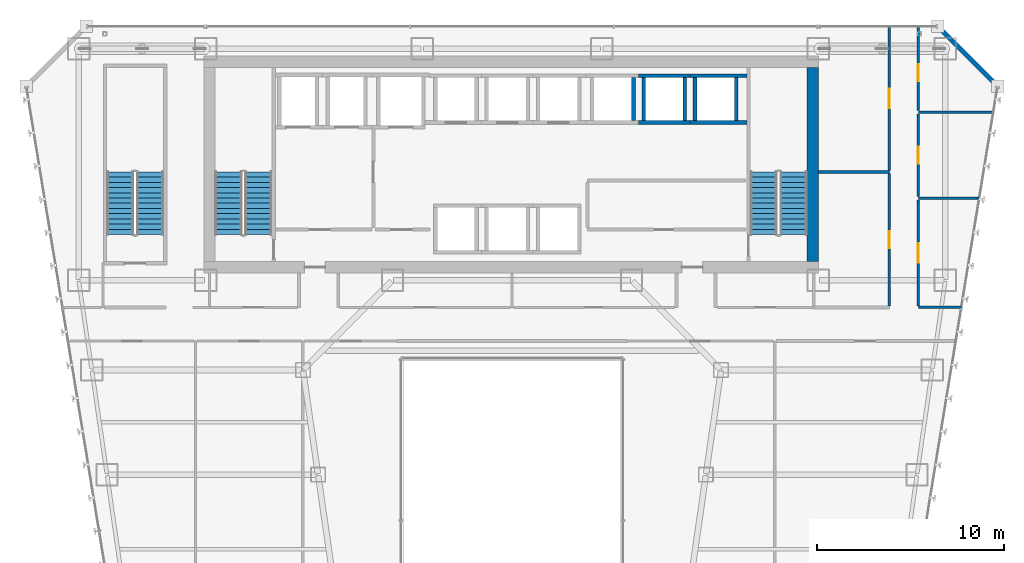
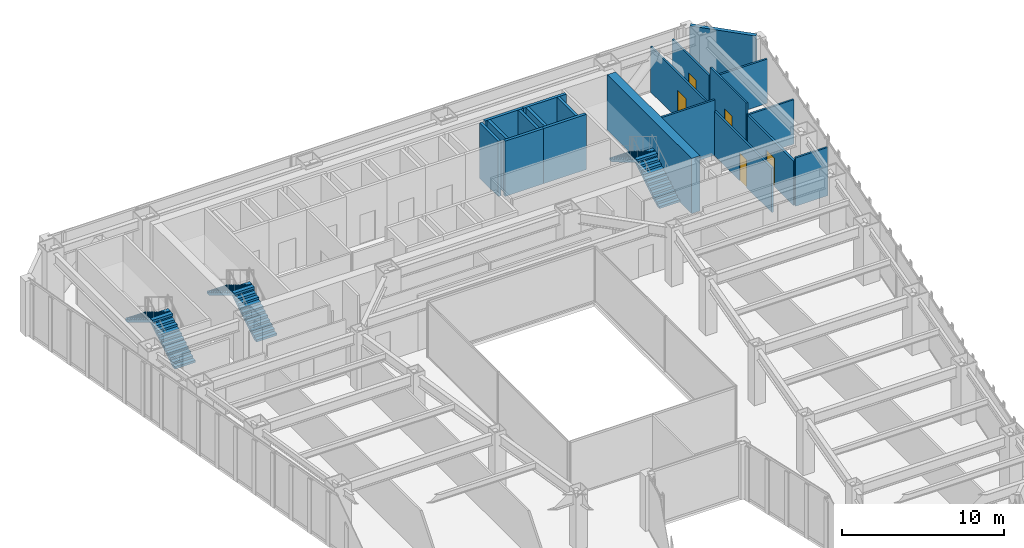
# One storey, part 38 of 47: 20 walls, 6 stair flights, 5 doors, 5 openings, 3 elements without a shape of their own.
"""IFC4 building model written with IfcOpenShell, lengths in metres."""

from ifc_helpers import new_model, si_unit, direction, frame, frame_2d, origin, place, context, subcontext, project, spatial, polyline, rectangle, outline, extrude, material, layer, layer_set, type_object, element, fill, aggregate, save


model = new_model("IFC4")

# Units and contexts
model_context = context("Model", 3, precision=1e-05, world=origin(), true_north=direction((0.0, 1.0)))
body_context = subcontext(model_context, "Body", "Model", "MODEL_VIEW")
ifc_project = project(units=[si_unit("LENGTHUNIT", "METRE"), si_unit("AREAUNIT", "SQUARE_METRE"), si_unit("VOLUMEUNIT", "CUBIC_METRE"), si_unit("PLANEANGLEUNIT", "RADIAN"), si_unit("MASSUNIT", "GRAM", prefix="KILO")], contexts=[model_context])

# Site, building, storey
site_placement = place(None, origin())
site = spatial("IfcSite", under=ifc_project, at=site_placement, CompositionType="ELEMENT")
building_placement = place(site_placement, origin())
building = spatial("IfcBuilding", under=site, at=building_placement, Name="Saevonmaru Cultural Tower", CompositionType="ELEMENT")
storey_placement = place(building_placement, frame((0.0, 0.0, 42.800048828125)))
storey = spatial("IfcBuildingStorey", under=building, at=storey_placement, Name="L08", CompositionType="ELEMENT", Elevation=42.800048828125)

# Walls
ifc_material_1 = material(Name="Concrete C60/75", Category="concrete")
ifc_layer_1 = layer(ifc_material_1, 0.60009765625, Name="Concrete C60/75")
ifc_layer_set_1 = layer_set([ifc_layer_1], Name="Concrete C60/75")
wall_type_1 = type_object("IfcWallType", Name="WL-CORE-600", PredefinedType="SHEAR", material=ifc_layer_set_1)
wall_1_placement = place(storey_placement, frame((46.10009765625, 43.39990234375, 0.0), z_axis=(0.0, 0.0, 1.0), x_axis=(0.0, 1.0, 0.0)))
element("IfcWall", 1, at=wall_1_placement, inside=storey, type_object=wall_type_1, Name="L08 Tower RC core shear wall E", PredefinedType="SHEAR", context=body_context, shape_type="SweptSolid", body=[
    extrude(rectangle(XDim=10.400146484375, YDim=0.60009765625, at=frame_2d((5.2001953125, 0.0))), origin(), (0.0, 0.0, 1.0), 4.14990234375),
])
ifc_material_2 = material(Name="Granite-Clad Precast Concrete C40/50", Category="masonry")
ifc_layer_2 = layer(ifc_material_2, 0.260009765625, Name="Granite-Clad Precast Concrete C40/50")
ifc_layer_set_2 = layer_set([ifc_layer_2], Name="Granite-Clad Precast Concrete C40/50")
wall_type_2 = type_object("IfcWallType", Name="WL-EXT-SPANDREL-260", PredefinedType="STANDARD", material=ifc_layer_set_2)
wall_2_placement = place(storey_placement, frame((55.886962890625, 52.9130859375, 0.0), z_axis=(0.0, 0.0, 1.0), x_axis=(-0.707106781187, 0.707106781187, 0.0)))
element("IfcWall", 2, at=wall_2_placement, inside=storey, type_object=wall_type_2, Name="L08 Chamfer Corner Spandrel Wall E9", PredefinedType="STANDARD", context=body_context, shape_type="SweptSolid", body=[
    extrude(rectangle(XDim=4.205810546875, YDim=0.260009765625, at=frame_2d((2.10302734375, 0.0))), origin(), (0.0, 0.0, 1.0), 4.14990234375),
])

# Wall, opening, door
ifc_material_3 = material(Name="Gypsum Fireboard Partition", Category="gypsum")
ifc_layer_3 = layer(ifc_material_3, 0.14990234375, Name="Gypsum Fireboard Partition")
ifc_layer_set_3 = layer_set([ifc_layer_3], Name="Gypsum Fireboard Partition")
wall_type_3 = type_object("IfcWallType", Name="WL-PART-FIRE-150", PredefinedType="PARTITIONING", material=ifc_layer_set_3)
wall_3_placement = place(storey_placement, frame((51.75, 41.03759765625, 0.0), z_axis=(0.0, 0.0, 1.0), x_axis=(0.0, 1.0, 0.0)))
wall_3 = element("IfcWall", 3, at=wall_3_placement, inside=storey, type_object=wall_type_3, Name="L08 Special Collections Gallery Corridor Wall", PredefinedType="PARTITIONING", context=body_context, shape_type="SweptSolid", body=[
    extrude(rectangle(XDim=5.6748046875, YDim=0.14990234375, at=frame_2d((2.83740234375, 0.0))), origin(), (0.0, 0.0, 1.0), 3.3349609375),
])
opening_1_placement = place(wall_3_placement, frame((2.31201171875, 0.0, 0.0)))
opening_1 = element("IfcOpeningElement", 4, at=opening_1_placement, cuts=wall_3, Name="Opening ID-1", PredefinedType="OPENING", context=body_context, shape_type="SweptSolid", body=[
    extrude(rectangle(XDim=1.050048828125, YDim=2.14990234375, at=frame_2d((0.52490234375, 1.074951171875))), frame((0.0, 0.0849609375, 0.0), z_axis=(0.0, -1.0, 0.0), x_axis=(1.0, 0.0, 0.0)), (0.0, 0.0, 1.0), 0.169921875),
])
ifc_material_4 = material(Name="Satin Bronze Anodised Aluminium", Category="aluminium")
door_type_1 = type_object("IfcDoorType", Name="DR-INT-1050", OperationType="SINGLE_SWING_LEFT", PredefinedType="DOOR", material=ifc_material_4)
door_1_placement = place(opening_1_placement, origin())
door_1 = element("IfcDoor", 5, at=door_1_placement, inside=storey, type_object=door_type_1, Name="L08 Special Collections Gallery Door", OperationType="SINGLE_SWING_RIGHT", OverallHeight=2.14990234375, OverallWidth=1.050048828125, PredefinedType="DOOR", context=body_context, shape_type="SweptSolid", body=[
    extrude(rectangle(XDim=1.050048828125, YDim=2.14990234375, at=frame_2d((0.52490234375, 1.074951171875))), frame((0.0, 0.02490234375, 0.0), z_axis=(0.0, -1.0, 0.0), x_axis=(1.0, 0.0, 0.0)), (0.0, 0.0, 1.0), 0.050048828125),
])
fill(opening_1, door_1)

ifc_layer_4 = layer(ifc_material_3, 0.1201171875, Name="Gypsum Fireboard Partition")
ifc_layer_set_4 = layer_set([ifc_layer_4], Name="Gypsum Fireboard Partition")
wall_type_4 = type_object("IfcWallType", Name="WL-PART-GYP-120", PredefinedType="PARTITIONING", material=ifc_layer_set_4)
wall_4_placement = place(storey_placement, frame((50.199951171875, 48.2900390625, 0.0), z_axis=(0.0, 0.0, 1.0), x_axis=(0.0, 1.0, 0.0)))
wall_4 = element("IfcWall", 6, at=wall_4_placement, inside=storey, type_object=wall_type_4, Name="L08 Rare Manuscript Reading Room Corridor Wall", PredefinedType="PARTITIONING", context=body_context, shape_type="SweptSolid", body=[
    extrude(rectangle(XDim=7.705078125, YDim=0.1201171875, at=frame_2d((3.8525390625, 0.0))), origin(), (0.0, 0.0, 1.0), 3.43505859375),
])
opening_2_placement = place(wall_4_placement, frame((3.326904296875, 0.0, 0.0)))
opening_2 = element("IfcOpeningElement", 7, at=opening_2_placement, cuts=wall_4, Name="Opening ID-1", PredefinedType="OPENING", context=body_context, shape_type="SweptSolid", body=[
    extrude(rectangle(XDim=1.050048828125, YDim=2.14990234375, at=frame_2d((0.52490234375, 1.074951171875))), frame((0.0, 0.070068359375, 0.0), z_axis=(0.0, -1.0, 0.0), x_axis=(1.0, 0.0, 0.0)), (0.0, 0.0, 1.0), 0.14013671875),
])
door_2_placement = place(opening_2_placement, origin())
door_2 = element("IfcDoor", 8, at=door_2_placement, inside=storey, type_object=door_type_1, Name="L08 Rare Manuscript Reading Room Door", OperationType="SINGLE_SWING_LEFT", OverallHeight=2.14990234375, OverallWidth=1.050048828125, PredefinedType="DOOR", context=body_context, shape_type="SweptSolid", body=[
    extrude(rectangle(XDim=1.050048828125, YDim=2.14990234375, at=frame_2d((0.52490234375, 1.074951171875))), frame((0.0, 0.02490234375, 0.0), z_axis=(0.0, -1.0, 0.0), x_axis=(1.0, 0.0, 0.0)), (0.0, 0.0, 1.0), 0.050048828125),
])
fill(opening_2, door_2)

wall_5_placement = place(storey_placement, frame((51.75, 46.887451171875, 0.0), z_axis=(0.0, 0.0, 1.0), x_axis=(0.0, 1.0, 0.0)))
wall_5 = element("IfcWall", 9, at=wall_5_placement, inside=storey, type_object=wall_type_4, Name="L08 Scholarly Colloquium Meeting Room Corridor Wall", PredefinedType="PARTITIONING", context=body_context, shape_type="SweptSolid", body=[
    extrude(rectangle(XDim=4.425048828125, YDim=0.1201171875, at=frame_2d((2.21240234375, 0.0))), origin(), (0.0, 0.0, 1.0), 4.14990234375),
])
opening_3_placement = place(wall_5_placement, frame((1.761962890625, 0.0, 0.0)))
opening_3 = element("IfcOpeningElement", 10, at=opening_3_placement, cuts=wall_5, Name="Opening ID-2", PredefinedType="OPENING", context=body_context, shape_type="SweptSolid", body=[
    extrude(rectangle(XDim=0.89990234375, YDim=2.10009765625, at=frame_2d((0.449951171875, 1.050048828125))), frame((0.0, 0.070068359375, 0.0), z_axis=(0.0, -1.0, 0.0), x_axis=(1.0, 0.0, 0.0)), (0.0, 0.0, 1.0), 0.14013671875),
])
ifc_material_5 = material(Name="Acoustic Stained Oak Timber", Category="wood")
door_type_2 = type_object("IfcDoorType", Name="DR-INT-900", OperationType="SINGLE_SWING_RIGHT", PredefinedType="DOOR", material=ifc_material_5)
door_3_placement = place(opening_3_placement, origin())
door_3 = element("IfcDoor", 11, at=door_3_placement, inside=storey, type_object=door_type_2, Name="L08 Scholarly Colloquium Meeting Room Door", OperationType="SINGLE_SWING_LEFT", OverallHeight=2.10009765625, OverallWidth=0.89990234375, PredefinedType="DOOR", context=body_context, shape_type="SweptSolid", body=[
    extrude(rectangle(XDim=0.89990234375, YDim=2.10009765625, at=frame_2d((0.449951171875, 1.050048828125))), frame((0.0, 0.02490234375, 0.0), z_axis=(0.0, -1.0, 0.0), x_axis=(1.0, 0.0, 0.0)), (0.0, 0.0, 1.0), 0.050048828125),
])
fill(opening_3, door_3)

wall_6_placement = place(storey_placement, frame((51.75, 51.487548828125, 0.0), z_axis=(0.0, 0.0, 1.0), x_axis=(0.0, 1.0, 0.0)))
wall_6 = element("IfcWall", 12, at=wall_6_placement, inside=storey, type_object=wall_type_4, Name="L08 Digital Humanities Office Corridor Wall", PredefinedType="PARTITIONING", context=body_context, shape_type="SweptSolid", body=[
    extrude(rectangle(XDim=4.507568359375, YDim=0.1201171875, at=frame_2d((2.25390625, 0.0))), origin(), (0.0, 0.0, 1.0), 3.43505859375),
])
opening_4_placement = place(wall_6_placement, frame((1.583984375, 0.0, 0.0)))
opening_4 = element("IfcOpeningElement", 13, at=opening_4_placement, cuts=wall_6, Name="Opening ID-2", PredefinedType="OPENING", context=body_context, shape_type="SweptSolid", body=[
    extrude(rectangle(XDim=0.89990234375, YDim=2.10009765625, at=frame_2d((0.449951171875, 1.050048828125))), frame((0.0, 0.070068359375, 0.0), z_axis=(0.0, -1.0, 0.0), x_axis=(1.0, 0.0, 0.0)), (0.0, 0.0, 1.0), 0.14013671875),
])
door_4_placement = place(opening_4_placement, origin())
door_4 = element("IfcDoor", 14, at=door_4_placement, inside=storey, type_object=door_type_2, Name="L08 Digital Humanities Office Door", OperationType="SINGLE_SWING_RIGHT", OverallHeight=2.10009765625, OverallWidth=0.89990234375, PredefinedType="DOOR", context=body_context, shape_type="SweptSolid", body=[
    extrude(rectangle(XDim=0.89990234375, YDim=2.10009765625, at=frame_2d((0.449951171875, 1.050048828125))), frame((0.0, 0.02490234375, 0.0), z_axis=(0.0, -1.0, 0.0), x_axis=(1.0, 0.0, 0.0)), (0.0, 0.0, 1.0), 0.050048828125),
])
fill(opening_4, door_4)

# Walls
ifc_layer_5 = layer(ifc_material_3, 0.135009765625, Name="Gypsum Fireboard Partition")
ifc_layer_set_5 = layer_set([ifc_layer_5], Name="Gypsum Fireboard Partition")
wall_type_5 = type_object("IfcWallType", Name="WL-PART-GYP-135", PredefinedType="PARTITIONING", material=ifc_layer_set_5)
wall_7_placement = place(storey_placement, frame((51.75, 40.949951171875, 0.0), z_axis=(0.0, 0.0, 1.0), x_axis=(1.0, 0.0, 0.0)))
element("IfcWall", 15, at=wall_7_placement, inside=storey, type_object=wall_type_5, Name="L08 NE Wing South Wall", PredefinedType="PARTITIONING", context=body_context, shape_type="SweptSolid", body=[
    extrude(rectangle(XDim=2.302978515625, YDim=0.135009765625, at=frame_2d((1.1513671875, 0.0))), origin(), (0.0, 0.0, 1.0), 3.635009765625),
])
wall_8_placement = place(storey_placement, frame((51.75, 46.800048828125, 0.0), z_axis=(0.0, 0.0, 1.0), x_axis=(1.0, 0.0, 0.0)))
element("IfcWall", 16, at=wall_8_placement, inside=storey, type_object=wall_type_5, Name="L08 NE Studio Divider 1", PredefinedType="PARTITIONING", context=body_context, shape_type="SweptSolid", body=[
    extrude(rectangle(XDim=3.26171875, YDim=0.135009765625, at=frame_2d((1.630859375, 0.0))), origin(), (0.0, 0.0, 1.0), 3.3349609375),
])
wall_9_placement = place(storey_placement, frame((51.75, 51.39990234375, 0.0), z_axis=(0.0, 0.0, 1.0), x_axis=(1.0, 0.0, 0.0)))
element("IfcWall", 17, at=wall_9_placement, inside=storey, type_object=wall_type_5, Name="L08 NE Studio Divider 2", PredefinedType="PARTITIONING", context=body_context, shape_type="SweptSolid", body=[
    extrude(rectangle(XDim=4.015380859375, YDim=0.135009765625, at=frame_2d((2.0078125, 0.0))), origin(), (0.0, 0.0, 1.0), 3.3349609375),
])
ifc_layer_6 = layer(ifc_material_3, 0.139892578125, Name="Gypsum Fireboard Partition")
ifc_layer_set_6 = layer_set([ifc_layer_6], Name="Gypsum Fireboard Partition")
wall_type_6 = type_object("IfcWallType", Name="WL-PART-WET-140", PredefinedType="PARTITIONING", material=ifc_layer_set_6)
wall_10_placement = place(storey_placement, frame((46.419921875, 48.199951171875, 0.0), z_axis=(0.0, 0.0, 1.0), x_axis=(1.0, 0.0, 0.0)))
element("IfcWall", 18, at=wall_10_placement, inside=storey, type_object=wall_type_6, Name="L08 Washroom North Wall", PredefinedType="PARTITIONING", context=body_context, shape_type="SweptSolid", body=[
    extrude(rectangle(XDim=3.780029296875, YDim=0.139892578125, at=frame_2d((1.89013671875, 0.0))), origin(), (0.0, 0.0, 1.0), 4.14990234375),
])

# Wall, opening, door
wall_11_placement = place(storey_placement, frame((50.199951171875, 41.0400390625, 0.0), z_axis=(0.0, 0.0, 1.0), x_axis=(0.0, 1.0, 0.0)))
wall_11 = element("IfcWall", 19, at=wall_11_placement, inside=storey, type_object=wall_type_6, Name="L08 Washroom Corridor Wall", PredefinedType="PARTITIONING", context=body_context, shape_type="SweptSolid", body=[
    extrude(rectangle(XDim=7.070068359375, YDim=0.139892578125, at=frame_2d((3.53515625, 0.0))), origin(), (0.0, 0.0, 1.0), 3.3349609375),
])
opening_5_placement = place(wall_11_placement, frame((3.0849609375, 0.0, 0.0)))
opening_5 = element("IfcOpeningElement", 20, at=opening_5_placement, cuts=wall_11, Name="Opening ID-2", PredefinedType="OPENING", context=body_context, shape_type="SweptSolid", body=[
    extrude(rectangle(XDim=0.89990234375, YDim=2.10009765625, at=frame_2d((0.449951171875, 1.050048828125))), frame((0.0, 0.080078125, 0.0), z_axis=(0.0, -1.0, 0.0), x_axis=(1.0, 0.0, 0.0)), (0.0, 0.0, 1.0), 0.159912109375),
])
door_5_placement = place(opening_5_placement, origin())
door_5 = element("IfcDoor", 21, at=door_5_placement, inside=storey, type_object=door_type_2, Name="L08 Public Accessible Washrooms Door", OperationType="SINGLE_SWING_RIGHT", OverallHeight=2.10009765625, OverallWidth=0.89990234375, PredefinedType="DOOR", context=body_context, shape_type="SweptSolid", body=[
    extrude(rectangle(XDim=0.89990234375, YDim=2.10009765625, at=frame_2d((0.449951171875, 1.050048828125))), frame((0.0, 0.02490234375, 0.0), z_axis=(0.0, -1.0, 0.0), x_axis=(1.0, 0.0, 0.0)), (0.0, 0.0, 1.0), 0.050048828125),
])
fill(opening_5, door_5)

# Walls
ifc_material_6 = material(Name="Concrete C40/50", Category="concrete")
ifc_layer_7 = layer(ifc_material_6, 0.199951171875, Name="Concrete C40/50")
ifc_layer_set_7 = layer_set([ifc_layer_7], Name="Concrete C40/50")
wall_type_7 = type_object("IfcWallType", Name="WL-SHAFT-200", PredefinedType="SHEAR", material=ifc_layer_set_7)
wall_12_placement = place(storey_placement, frame((36.5, 50.949951171875, 0.0), z_axis=(0.0, 0.0, 1.0), x_axis=(0.0, 1.0, 0.0)))
element("IfcWall", 22, at=wall_12_placement, inside=storey, type_object=wall_type_7, Name="L08 Lift PL-H1 Hoistway Wall E", PredefinedType="SHEAR", context=body_context, shape_type="SweptSolid", body=[
    extrude(rectangle(XDim=2.300048828125, YDim=0.199951171875, at=frame_2d((1.14990234375, 0.0))), origin(), (0.0, 0.0, 1.0), 4.14990234375),
])
for number, where, z_axis, x_axis, name in (
    (23, (36.77490234375, 50.85009765625, 0.0), (0.0, 0.0, 1.0), (1.0, 0.0, 0.0), "L08 Lift PL-H2 Hoistway Wall S"),
    (24, (36.77490234375, 53.35009765625, 0.0), (0.0, 0.0, 1.0), (1.0, 0.0, 0.0), "L08 Lift PL-H2 Hoistway Wall N"),
):
    element("IfcWall", number, at=place(storey_placement, frame(where, z_axis=z_axis, x_axis=x_axis)), inside=storey, type_object=wall_type_7, Name=name, PredefinedType="SHEAR", context=body_context, shape_type="SweptSolid", body=[
        extrude(rectangle(XDim=2.75, YDim=0.199951171875, at=frame_2d((1.375, 0.0))), origin(), (0.0, 0.0, 1.0), 4.14990234375),
    ])
for number, where, z_axis, x_axis, name in (
    (25, (37.050048828125, 50.949951171875, 0.0), (0.0, 0.0, 1.0), (0.0, 1.0, 0.0), "L08 Lift PL-H2 Hoistway Wall W"),
    (26, (39.25, 50.949951171875, 0.0), (0.0, 0.0, 1.0), (0.0, 1.0, 0.0), "L08 Lift PL-H2 Hoistway Wall E"),
):
    element("IfcWall", number, at=place(storey_placement, frame(where, z_axis=z_axis, x_axis=x_axis)), inside=storey, type_object=wall_type_7, Name=name, PredefinedType="SHEAR", context=body_context, shape_type="SweptSolid", body=[
        extrude(rectangle(XDim=2.300048828125, YDim=0.199951171875, at=frame_2d((1.14990234375, 0.0))), origin(), (0.0, 0.0, 1.0), 4.14990234375),
    ])
for number, where, z_axis, x_axis, name in (
    (27, (39.52490234375, 50.85009765625, 0.0), (0.0, 0.0, 1.0), (1.0, 0.0, 0.0), "L08 Lift PL-H3 Hoistway Wall S"),
    (28, (39.52490234375, 53.35009765625, 0.0), (0.0, 0.0, 1.0), (1.0, 0.0, 0.0), "L08 Lift PL-H3 Hoistway Wall N"),
):
    element("IfcWall", number, at=place(storey_placement, frame(where, z_axis=z_axis, x_axis=x_axis)), inside=storey, type_object=wall_type_7, Name=name, PredefinedType="SHEAR", context=body_context, shape_type="SweptSolid", body=[
        extrude(rectangle(XDim=3.045166015625, YDim=0.199951171875, at=frame_2d((1.5224609375, 0.0))), origin(), (0.0, 0.0, 1.0), 4.14990234375),
    ])
for number, where, z_axis, x_axis, name in (
    (29, (39.800048828125, 50.949951171875, 0.0), (0.0, 0.0, 1.0), (0.0, 1.0, 0.0), "L08 Lift PL-H3 Hoistway Wall W"),
    (30, (42.0, 50.949951171875, 0.0), (0.0, 0.0, 1.0), (0.0, 1.0, 0.0), "L08 Lift PL-H3 Hoistway Wall E"),
):
    element("IfcWall", number, at=place(storey_placement, frame(where, z_axis=z_axis, x_axis=x_axis)), inside=storey, type_object=wall_type_7, Name=name, PredefinedType="SHEAR", context=body_context, shape_type="SweptSolid", body=[
        extrude(rectangle(XDim=2.300048828125, YDim=0.199951171875, at=frame_2d((1.14990234375, 0.0))), origin(), (0.0, 0.0, 1.0), 4.14990234375),
    ])

# Stair, stair flights
stair_type = type_object("IfcStairType", Name="STR-DOGLEG-RC", PredefinedType="HALF_TURN_STAIR", material=ifc_material_6)
stair_1_placement = place(storey_placement, origin())
stair_1 = element("IfcStair", 31, at=stair_1_placement, inside=storey, type_object=stair_type, Name="L08 Protected exit stair ST-1", PredefinedType="HALF_TURN_STAIR")
ifc_material_7 = material(Name="Precast concrete C40/50", Category="concrete")
stair_flight_type = type_object("IfcStairFlightType", Name="STF-PRECAST-180", PredefinedType="STRAIGHT", material=ifc_material_7)
stair_flight_1_placement = place(storey_placement, frame((16.425048828125, 44.85009765625, 0.0), z_axis=(0.0, 0.0, 1.0), x_axis=(0.0, 1.0, 0.0)))
stair_flight_1 = element("IfcStairFlight", 32, at=stair_flight_1_placement, type_object=stair_flight_type, Name="ST-1-L08 flight 1", NumberOfRisers=13, NumberOfTreads=12, PredefinedType="STRAIGHT", RiserHeight=0.169230769, TreadLength=0.28, context=body_context, shape_type="SweptSolid", body=[
    extrude(outline(polyline([(0.0, 0.0), (0.0, 0.169189453125), (0.280029296875, 0.169189453125), (0.280029296875, 0.33837890625), (0.56005859375, 0.33837890625), (0.56005859375, 0.5078125), (0.840087890625, 0.5078125), (0.840087890625, 0.677001953125), (1.1201171875, 0.677001953125), (1.1201171875, 0.84619140625), (1.39990234375, 0.84619140625), (1.39990234375, 1.015380859375), (1.679931640625, 1.015380859375), (1.679931640625, 1.1845703125), (1.9599609375, 1.1845703125), (1.9599609375, 1.353759765625), (2.239990234375, 1.353759765625), (2.239990234375, 1.523193359375), (2.52001953125, 1.523193359375), (2.52001953125, 1.6923828125), (2.800048828125, 1.6923828125), (2.800048828125, 1.861572265625), (3.080078125, 1.861572265625), (3.080078125, 2.03076171875), (3.360107421875, 2.03076171875), (3.360107421875, 2.199951171875), (3.360107421875, 1.855712890625), (0.289794921875, 0.0), (0.0, 0.0)])), frame((0.0, 0.72509765625, 0.0), z_axis=(0.0, -1.0, 0.0), x_axis=(1.0, 0.0, 0.0)), (0.0, 0.0, 1.0), 1.449951171875),
])
stair_flight_2_placement = place(storey_placement, frame((14.824951171875, 48.2099609375, 2.199951171875), z_axis=(0.0, 0.0, 1.0), x_axis=(0.0, -1.0, 0.0)))
stair_flight_2 = element("IfcStairFlight", 33, at=stair_flight_2_placement, type_object=stair_flight_type, Name="ST-1-L08 flight 2", NumberOfRisers=13, NumberOfTreads=12, PredefinedType="STRAIGHT", RiserHeight=0.169230769, TreadLength=0.28, context=body_context, shape_type="SweptSolid", body=[
    extrude(outline(polyline([(0.0, 0.0), (0.0, 0.169189453125), (0.280029296875, 0.169189453125), (0.280029296875, 0.33837890625), (0.56005859375, 0.33837890625), (0.56005859375, 0.5078125), (0.840087890625, 0.5078125), (0.840087890625, 0.677001953125), (1.1201171875, 0.677001953125), (1.1201171875, 0.84619140625), (1.39990234375, 0.84619140625), (1.39990234375, 1.015380859375), (1.679931640625, 1.015380859375), (1.679931640625, 1.1845703125), (1.9599609375, 1.1845703125), (1.9599609375, 1.353759765625), (2.239990234375, 1.353759765625), (2.239990234375, 1.523193359375), (2.52001953125, 1.523193359375), (2.52001953125, 1.6923828125), (2.800048828125, 1.6923828125), (2.800048828125, 1.861572265625), (3.080078125, 1.861572265625), (3.080078125, 2.03076171875), (3.360107421875, 2.03076171875), (3.360107421875, 2.199951171875), (3.360107421875, 1.855712890625), (0.289794921875, 0.0), (0.0, 0.0)])), frame((0.0, 0.72509765625, 0.0), z_axis=(0.0, -1.0, 0.0), x_axis=(1.0, 0.0, 0.0)), (0.0, 0.0, 1.0), 1.449951171875),
])
aggregate(stair_1, [stair_flight_1, stair_flight_2])

stair_2_placement = place(storey_placement, origin())
stair_2 = element("IfcStair", 34, at=stair_2_placement, inside=storey, type_object=stair_type, Name="L08 Protected exit stair ST-2", PredefinedType="HALF_TURN_STAIR")
stair_flight_3_placement = place(storey_placement, frame((45.074951171875, 44.85009765625, 0.0), z_axis=(0.0, 0.0, 1.0), x_axis=(0.0, 1.0, 0.0)))
stair_flight_3 = element("IfcStairFlight", 35, at=stair_flight_3_placement, type_object=stair_flight_type, Name="ST-2-L08 flight 1", NumberOfRisers=13, NumberOfTreads=12, PredefinedType="STRAIGHT", RiserHeight=0.169230769, TreadLength=0.28, context=body_context, shape_type="SweptSolid", body=[
    extrude(outline(polyline([(0.0, 0.0), (0.0, 0.169189453125), (0.280029296875, 0.169189453125), (0.280029296875, 0.33837890625), (0.56005859375, 0.33837890625), (0.56005859375, 0.5078125), (0.840087890625, 0.5078125), (0.840087890625, 0.677001953125), (1.1201171875, 0.677001953125), (1.1201171875, 0.84619140625), (1.39990234375, 0.84619140625), (1.39990234375, 1.015380859375), (1.679931640625, 1.015380859375), (1.679931640625, 1.1845703125), (1.9599609375, 1.1845703125), (1.9599609375, 1.353759765625), (2.239990234375, 1.353759765625), (2.239990234375, 1.523193359375), (2.52001953125, 1.523193359375), (2.52001953125, 1.6923828125), (2.800048828125, 1.6923828125), (2.800048828125, 1.861572265625), (3.080078125, 1.861572265625), (3.080078125, 2.03076171875), (3.360107421875, 2.03076171875), (3.360107421875, 2.199951171875), (3.360107421875, 1.855712890625), (0.289794921875, 0.0), (0.0, 0.0)])), frame((0.0, 0.72509765625, 0.0), z_axis=(0.0, -1.0, 0.0), x_axis=(1.0, 0.0, 0.0)), (0.0, 0.0, 1.0), 1.449951171875),
])
stair_flight_4_placement = place(storey_placement, frame((43.47509765625, 48.2099609375, 2.199951171875), z_axis=(0.0, 0.0, 1.0), x_axis=(0.0, -1.0, 0.0)))
stair_flight_4 = element("IfcStairFlight", 36, at=stair_flight_4_placement, type_object=stair_flight_type, Name="ST-2-L08 flight 2", NumberOfRisers=13, NumberOfTreads=12, PredefinedType="STRAIGHT", RiserHeight=0.169230769, TreadLength=0.28, context=body_context, shape_type="SweptSolid", body=[
    extrude(outline(polyline([(0.0, 0.0), (0.0, 0.169189453125), (0.280029296875, 0.169189453125), (0.280029296875, 0.33837890625), (0.56005859375, 0.33837890625), (0.56005859375, 0.5078125), (0.840087890625, 0.5078125), (0.840087890625, 0.677001953125), (1.1201171875, 0.677001953125), (1.1201171875, 0.84619140625), (1.39990234375, 0.84619140625), (1.39990234375, 1.015380859375), (1.679931640625, 1.015380859375), (1.679931640625, 1.1845703125), (1.9599609375, 1.1845703125), (1.9599609375, 1.353759765625), (2.239990234375, 1.353759765625), (2.239990234375, 1.523193359375), (2.52001953125, 1.523193359375), (2.52001953125, 1.6923828125), (2.800048828125, 1.6923828125), (2.800048828125, 1.861572265625), (3.080078125, 1.861572265625), (3.080078125, 2.03076171875), (3.360107421875, 2.03076171875), (3.360107421875, 2.199951171875), (3.360107421875, 1.855712890625), (0.289794921875, 0.0), (0.0, 0.0)])), frame((0.0, 0.72509765625, 0.0), z_axis=(0.0, -1.0, 0.0), x_axis=(1.0, 0.0, 0.0)), (0.0, 0.0, 1.0), 1.449951171875),
])
aggregate(stair_2, [stair_flight_3, stair_flight_4])

stair_3_placement = place(storey_placement, origin())
stair_3 = element("IfcStair", 37, at=stair_3_placement, inside=storey, type_object=stair_type, Name="L08 Protected exit stair ST-3", PredefinedType="HALF_TURN_STAIR")
stair_flight_5_placement = place(storey_placement, frame((10.625, 44.85009765625, 0.0), z_axis=(0.0, 0.0, 1.0), x_axis=(0.0, 1.0, 0.0)))
stair_flight_5 = element("IfcStairFlight", 38, at=stair_flight_5_placement, type_object=stair_flight_type, Name="ST-3-L08 flight 1", NumberOfRisers=13, NumberOfTreads=12, PredefinedType="STRAIGHT", RiserHeight=0.169230769, TreadLength=0.28, context=body_context, shape_type="SweptSolid", body=[
    extrude(outline(polyline([(0.0, 0.0), (0.0, 0.169189453125), (0.280029296875, 0.169189453125), (0.280029296875, 0.33837890625), (0.56005859375, 0.33837890625), (0.56005859375, 0.5078125), (0.840087890625, 0.5078125), (0.840087890625, 0.677001953125), (1.1201171875, 0.677001953125), (1.1201171875, 0.84619140625), (1.39990234375, 0.84619140625), (1.39990234375, 1.015380859375), (1.679931640625, 1.015380859375), (1.679931640625, 1.1845703125), (1.9599609375, 1.1845703125), (1.9599609375, 1.353759765625), (2.239990234375, 1.353759765625), (2.239990234375, 1.523193359375), (2.52001953125, 1.523193359375), (2.52001953125, 1.6923828125), (2.800048828125, 1.6923828125), (2.800048828125, 1.861572265625), (3.080078125, 1.861572265625), (3.080078125, 2.03076171875), (3.360107421875, 2.03076171875), (3.360107421875, 2.199951171875), (3.360107421875, 1.855712890625), (0.289794921875, 0.0), (0.0, 0.0)])), frame((0.0, 0.72509765625, 0.0), z_axis=(0.0, -1.0, 0.0), x_axis=(1.0, 0.0, 0.0)), (0.0, 0.0, 1.0), 1.449951171875),
])
stair_flight_6_placement = place(storey_placement, frame((9.02490234375, 48.2099609375, 2.199951171875), z_axis=(0.0, 0.0, 1.0), x_axis=(0.0, -1.0, 0.0)))
stair_flight_6 = element("IfcStairFlight", 39, at=stair_flight_6_placement, type_object=stair_flight_type, Name="ST-3-L08 flight 2", NumberOfRisers=13, NumberOfTreads=12, PredefinedType="STRAIGHT", RiserHeight=0.169230769, TreadLength=0.28, context=body_context, shape_type="SweptSolid", body=[
    extrude(outline(polyline([(0.0, 0.0), (0.0, 0.169189453125), (0.280029296875, 0.169189453125), (0.280029296875, 0.33837890625), (0.56005859375, 0.33837890625), (0.56005859375, 0.5078125), (0.840087890625, 0.5078125), (0.840087890625, 0.677001953125), (1.1201171875, 0.677001953125), (1.1201171875, 0.84619140625), (1.39990234375, 0.84619140625), (1.39990234375, 1.015380859375), (1.679931640625, 1.015380859375), (1.679931640625, 1.1845703125), (1.9599609375, 1.1845703125), (1.9599609375, 1.353759765625), (2.239990234375, 1.353759765625), (2.239990234375, 1.523193359375), (2.52001953125, 1.523193359375), (2.52001953125, 1.6923828125), (2.800048828125, 1.6923828125), (2.800048828125, 1.861572265625), (3.080078125, 1.861572265625), (3.080078125, 2.03076171875), (3.360107421875, 2.03076171875), (3.360107421875, 2.199951171875), (3.360107421875, 1.855712890625), (0.289794921875, 0.0), (0.0, 0.0)])), frame((0.0, 0.72509765625, 0.0), z_axis=(0.0, -1.0, 0.0), x_axis=(1.0, 0.0, 0.0)), (0.0, 0.0, 1.0), 1.449951171875),
])
aggregate(stair_3, [stair_flight_5, stair_flight_6])

save(model, "model.ifc")
